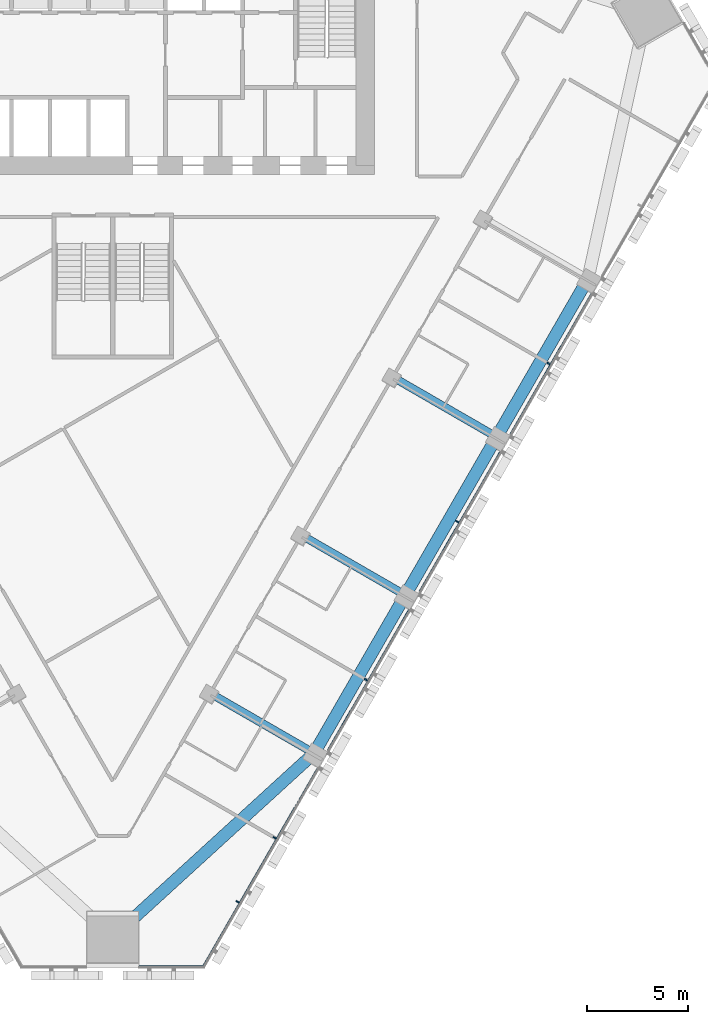
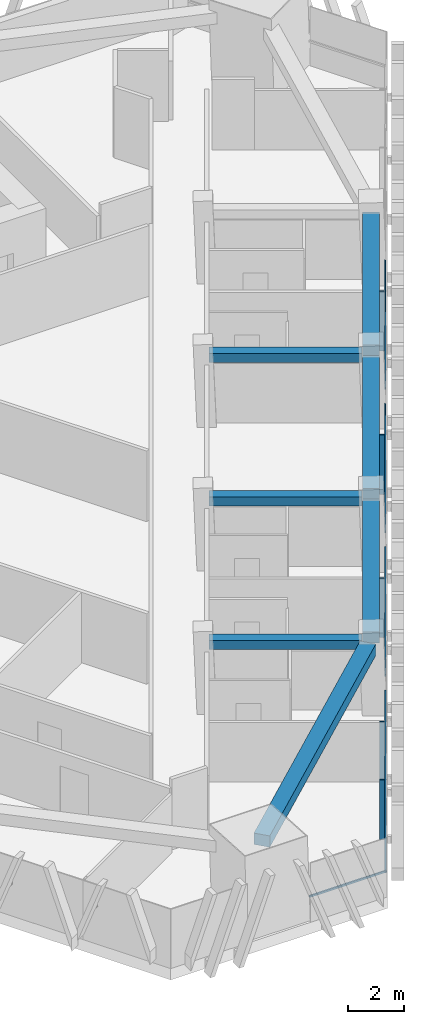
# One storey, part 4 of 16: 10 members, 7 beams, 2 elements without a shape of their own.
"""IFC4 building model written with IfcOpenShell, lengths in metres."""

from ifc_helpers import new_model, si_unit, direction, frame, origin, origin_2d, place, context, subcontext, project, spatial, rectangle, extrude, material, layer, layer_set, material_profile, profile_set, type_object, element, aggregate, save


model = new_model("IFC4")

# Units and contexts
model_context = context("Model", 3, precision=1e-05, world=origin(), true_north=direction((0.0, 1.0)))
body_context = subcontext(model_context, "Body", "Model", "MODEL_VIEW")
ifc_project = project(units=[si_unit("LENGTHUNIT", "METRE"), si_unit("AREAUNIT", "SQUARE_METRE"), si_unit("VOLUMEUNIT", "CUBIC_METRE"), si_unit("PLANEANGLEUNIT", "RADIAN"), si_unit("MASSUNIT", "GRAM", prefix="KILO")], contexts=[model_context])

# Site, building, storey
site_placement = place(None, origin())
site = spatial("IfcSite", under=ifc_project, at=site_placement, CompositionType="ELEMENT")
building_placement = place(site_placement, origin())
building = spatial("IfcBuilding", under=site, at=building_placement, Name="Altiplano Prism Tower", CompositionType="ELEMENT")
storey_placement = place(building_placement, frame((0.0, 0.0, 73.800048828125)))
storey = spatial("IfcBuildingStorey", under=building, at=storey_placement, Name="L18", CompositionType="ELEMENT", Elevation=73.800048828125)

# Curtain wall, members
ifc_material_1 = material(Name="Aluminium and glass", Category="aluminium")
ifc_layer = layer(ifc_material_1, 0.280029296875)
ifc_layer_set = layer_set([ifc_layer], Name="Aluminium and glass")
curtain_wall_type = type_object("IfcCurtainWallType", Name="CW1 typical co-living unitised curtain wall", PredefinedType="NOTDEFINED", material=ifc_layer_set)
curtain_wall_1_placement = place(storey_placement, origin())
curtain_wall_1 = element("IfcCurtainWall", 1, at=curtain_wall_1_placement, inside=storey, type_object=curtain_wall_type, Name="CW1 curtain wall south-east face L18", PredefinedType="NOTDEFINED")
ifc_material_2 = material(Name="Aluminium", Category="aluminium")
ifc_material_profile_1 = material_profile(ifc_material_2, rectangle(XDim=0.179931640625, YDim=0.06494140625, at=origin_2d()), Name="CW1 mullion 65 x 180")
ifc_profile_set_1 = profile_set([ifc_material_profile_1], Name="Aluminium")
member_type_1 = type_object("IfcMemberType", Name="CW1 mullion 65 x 180", PredefinedType="MULLION", material=ifc_profile_set_1)
member_1_placement = place(storey_placement, frame((91.15869140625, 56.649169921875, 0.0), z_axis=(0.0, 0.0, 1.0), x_axis=(-0.866025402161, 0.500000002811, 0.0)))
member_1 = element("IfcMember", 2, at=member_1_placement, type_object=member_type_1, Name="CW1 mullion", PredefinedType="MULLION", context=body_context, shape_type="SweptSolid", body=[
    extrude(rectangle(XDim=0.179931640625, YDim=0.06494140625, at=origin_2d()), origin(), (0.0, 0.0, 1.0), 2.599853515625),
])
member_2_placement = place(storey_placement, frame((92.982177734375, 59.8076171875, 0.0), z_axis=(0.0, 0.0, 1.0), x_axis=(-0.866025402161, 0.500000002811, 0.0)))
member_2 = element("IfcMember", 3, at=member_2_placement, type_object=member_type_1, Name="CW1 mullion", PredefinedType="MULLION", context=body_context, shape_type="SweptSolid", body=[
    extrude(rectangle(XDim=0.179931640625, YDim=0.06494140625, at=origin_2d()), origin(), (0.0, 0.0, 1.0), 2.599853515625),
])
member_3_placement = place(storey_placement, frame((97.482177734375, 67.601806640625, 0.0), z_axis=(0.0, 0.0, 1.0), x_axis=(-0.866025402161, 0.500000002811, 0.0)))
member_3 = element("IfcMember", 4, at=member_3_placement, type_object=member_type_1, Name="CW1 mullion", PredefinedType="MULLION", context=body_context, shape_type="SweptSolid", body=[
    extrude(rectangle(XDim=0.179931640625, YDim=0.06494140625, at=origin_2d()), origin(), (0.0, 0.0, 1.0), 2.599853515625),
])
member_4_placement = place(storey_placement, frame((101.982177734375, 75.39599609375, 0.0), z_axis=(0.0, 0.0, 1.0), x_axis=(-0.866025402161, 0.500000002811, 0.0)))
member_4 = element("IfcMember", 5, at=member_4_placement, type_object=member_type_1, Name="CW1 mullion", PredefinedType="MULLION", context=body_context, shape_type="SweptSolid", body=[
    extrude(rectangle(XDim=0.179931640625, YDim=0.06494140625, at=origin_2d()), origin(), (0.0, 0.0, 1.0), 2.599853515625),
])
member_5_placement = place(storey_placement, frame((106.482177734375, 83.1904296875, 0.0), z_axis=(0.0, 0.0, 1.0), x_axis=(-0.866025402161, 0.500000002811, 0.0)))
member_5 = element("IfcMember", 6, at=member_5_placement, type_object=member_type_1, Name="CW1 mullion", PredefinedType="MULLION", context=body_context, shape_type="SweptSolid", body=[
    extrude(rectangle(XDim=0.179931640625, YDim=0.06494140625, at=origin_2d()), origin(), (0.0, 0.0, 1.0), 2.599853515625),
])

# Curtain wall, member
curtain_wall_2_placement = place(storey_placement, origin())
curtain_wall_2 = element("IfcCurtainWall", 7, at=curtain_wall_2_placement, inside=storey, type_object=curtain_wall_type, Name="CW1 curtain wall south chamfer L18", PredefinedType="NOTDEFINED")
ifc_material_profile_2 = material_profile(ifc_material_2, rectangle(XDim=0.06005859375, YDim=0.080078125, at=origin_2d()), Name="CW1 transom 80 x 60")
ifc_profile_set_2 = profile_set([ifc_material_profile_2], Name="Aluminium")
member_type_2 = type_object("IfcMemberType", Name="CW1 transom 80 x 60", PredefinedType="USERDEFINED", material=ifc_profile_set_2)
member_6_placement = place(storey_placement, frame((86.300048828125, 53.4658203125, 1.099853515625), z_axis=(1.0, 0.0, 0.0), x_axis=(0.0, 1.0, 0.0)))
member_6 = element("IfcMember", 8, at=member_6_placement, type_object=member_type_2, Name="CW1 transom", ObjectType="TRANSOM", PredefinedType="USERDEFINED", context=body_context, shape_type="SweptSolid", body=[
    extrude(rectangle(XDim=0.06005859375, YDim=0.080078125, at=origin_2d()), origin(), (0.0, 0.0, 1.0), 3.19970703125),
])
aggregate(curtain_wall_2, [member_6])

# Member
member_7_placement = place(storey_placement, frame((89.43896484375, 53.430908203125, 1.099853515625), z_axis=(0.500002537869, 0.86602393854, 0.0), x_axis=(-0.86602393854, 0.500002537869, 0.0)))
member_7 = element("IfcMember", 9, at=member_7_placement, type_object=member_type_2, Name="CW1 transom", ObjectType="TRANSOM", PredefinedType="USERDEFINED", context=body_context, shape_type="SweptSolid", body=[
    extrude(rectangle(XDim=0.06005859375, YDim=0.080078125, at=origin_2d()), origin(), (0.0, 0.0, 1.0), 11.34326171875),
])

member_8_placement = place(storey_placement, frame((95.600830078125, 64.103271484375, 1.099853515625), z_axis=(0.499989486807, 0.866031473494, 0.0), x_axis=(-0.866031473494, 0.499989486807, 0.0)))
member_8 = element("IfcMember", 10, at=member_8_placement, type_object=member_type_2, Name="CW1 transom", ObjectType="TRANSOM", PredefinedType="USERDEFINED", context=body_context, shape_type="SweptSolid", body=[
    extrude(rectangle(XDim=0.06005859375, YDim=0.080078125, at=origin_2d()), origin(), (0.0, 0.0, 1.0), 8.019775390625),
])

member_9_placement = place(storey_placement, frame((100.100830078125, 71.8974609375, 1.099853515625), z_axis=(0.499976305243, 0.866039083527, 0.0), x_axis=(-0.866039083527, 0.499976305243, 0.0)))
member_9 = element("IfcMember", 11, at=member_9_placement, type_object=member_type_2, Name="CW1 transom", ObjectType="TRANSOM", PredefinedType="USERDEFINED", context=body_context, shape_type="SweptSolid", body=[
    extrude(rectangle(XDim=0.06005859375, YDim=0.080078125, at=origin_2d()), origin(), (0.0, 0.0, 1.0), 8.02001953125),
])

member_10_placement = place(storey_placement, frame((104.600830078125, 79.691650390625, 1.099853515625), z_axis=(0.499976305243, 0.866039083527, 0.0), x_axis=(-0.866039083527, 0.499976305243, 0.0)))
member_10 = element("IfcMember", 12, at=member_10_placement, type_object=member_type_2, Name="CW1 transom", ObjectType="TRANSOM", PredefinedType="USERDEFINED", context=body_context, shape_type="SweptSolid", body=[
    extrude(rectangle(XDim=0.06005859375, YDim=0.080078125, at=origin_2d()), origin(), (0.0, 0.0, 1.0), 8.02001953125),
])

aggregate(curtain_wall_1, [member_1, member_2, member_7, member_3, member_8, member_4, member_9, member_5, member_10])

# Beams
ifc_material_3 = material(Name="Concrete C60/75", Category="concrete")
ifc_material_profile_3 = material_profile(ifc_material_3, rectangle(XDim=0.60009765625, YDim=0.5, at=origin_2d()), Name="Edge beam 600x500")
ifc_profile_set_3 = profile_set([ifc_material_profile_3], Name="Concrete C60/75")
beam_type_1 = type_object("IfcBeamType", Name="Edge beam 600x500", PredefinedType="SPANDREL", material=ifc_profile_set_3)
beam_1_placement = place(storey_placement, frame((85.332275390625, 55.209716796875, 2.849853515625), z_axis=(0.738362567059, 0.674403973569, 0.0), x_axis=(-0.674403973569, 0.738362567059, 0.0)))
element("IfcBeam", 13, at=beam_1_placement, inside=storey, type_object=beam_type_1, Name="Edge beam M1-P21 L19", PredefinedType="SPANDREL", context=body_context, shape_type="SweptSolid", body=[
    extrude(rectangle(XDim=0.60009765625, YDim=0.5, at=origin_2d()), origin(), (0.0, 0.0, 1.0), 12.642578125),
])
for number, where, z_axis, x_axis, name in (
    (14, (95.092041015625, 64.259033203125, 2.849853515625), (0.499992746786, 0.866029591389, 0.0), (-0.866029591389, 0.499992746786, 0.0), "Edge beam P21-P22 L19"),
    (15, (99.592041015625, 72.05322265625, 2.849853515625), (0.499992746786, 0.866029591389, 0.0), (-0.866029591389, 0.499992746786, 0.0), "Edge beam P22-P23 L19"),
    (16, (104.092041015625, 79.84765625, 2.849853515625), (0.499992746786, 0.866029591389, 0.0), (-0.866029591389, 0.499992746786, 0.0), "Edge beam P23-P24 L19"),
):
    element("IfcBeam", number, at=place(storey_placement, frame(where, z_axis=z_axis, x_axis=x_axis)), inside=storey, type_object=beam_type_1, Name=name, PredefinedType="SPANDREL", context=body_context, shape_type="SweptSolid", body=[
        extrude(rectangle(XDim=0.60009765625, YDim=0.5, at=origin_2d()), origin(), (0.0, 0.0, 1.0), 8.33984375),
    ])
ifc_material_profile_4 = material_profile(ifc_material_3, rectangle(XDim=0.39990234375, YDim=0.39990234375, at=origin_2d()), Name="Tie beam 400x400")
ifc_profile_set_4 = profile_set([ifc_material_profile_4], Name="Concrete C60/75")
beam_type_2 = type_object("IfcBeamType", Name="Tie beam 400x400", PredefinedType="BEAM", material=ifc_profile_set_4)
beam_2_placement = place(storey_placement, frame((89.88671875, 66.88330078125, 2.89990234375), z_axis=(0.866012292785, -0.50002270823, 0.0), x_axis=(0.50002270823, 0.866012292785, 0.0)))
element("IfcBeam", 17, at=beam_2_placement, inside=storey, type_object=beam_type_2, Name="Tie beam I21 L19", PredefinedType="BEAM", context=body_context, shape_type="SweptSolid", body=[
    extrude(rectangle(XDim=0.39990234375, YDim=0.39990234375, at=origin_2d()), origin(), (0.0, 0.0, 1.0), 5.489990234375),
])
for number, where, z_axis, x_axis, name in (
    (18, (94.38671875, 74.677490234375, 2.89990234375), (0.866031549307, -0.499989355492, 0.0), (0.499989355492, 0.866031549307, 0.0), "Tie beam I22 L19"),
    (19, (98.88671875, 82.4716796875, 2.89990234375), (0.866031549307, -0.499989355492, 0.0), (0.499989355492, 0.866031549307, 0.0), "Tie beam I23 L19"),
):
    element("IfcBeam", number, at=place(storey_placement, frame(where, z_axis=z_axis, x_axis=x_axis)), inside=storey, type_object=beam_type_2, Name=name, PredefinedType="BEAM", context=body_context, shape_type="SweptSolid", body=[
        extrude(rectangle(XDim=0.39990234375, YDim=0.39990234375, at=origin_2d()), origin(), (0.0, 0.0, 1.0), 5.48974609375),
    ])

save(model, "model.ifc")
